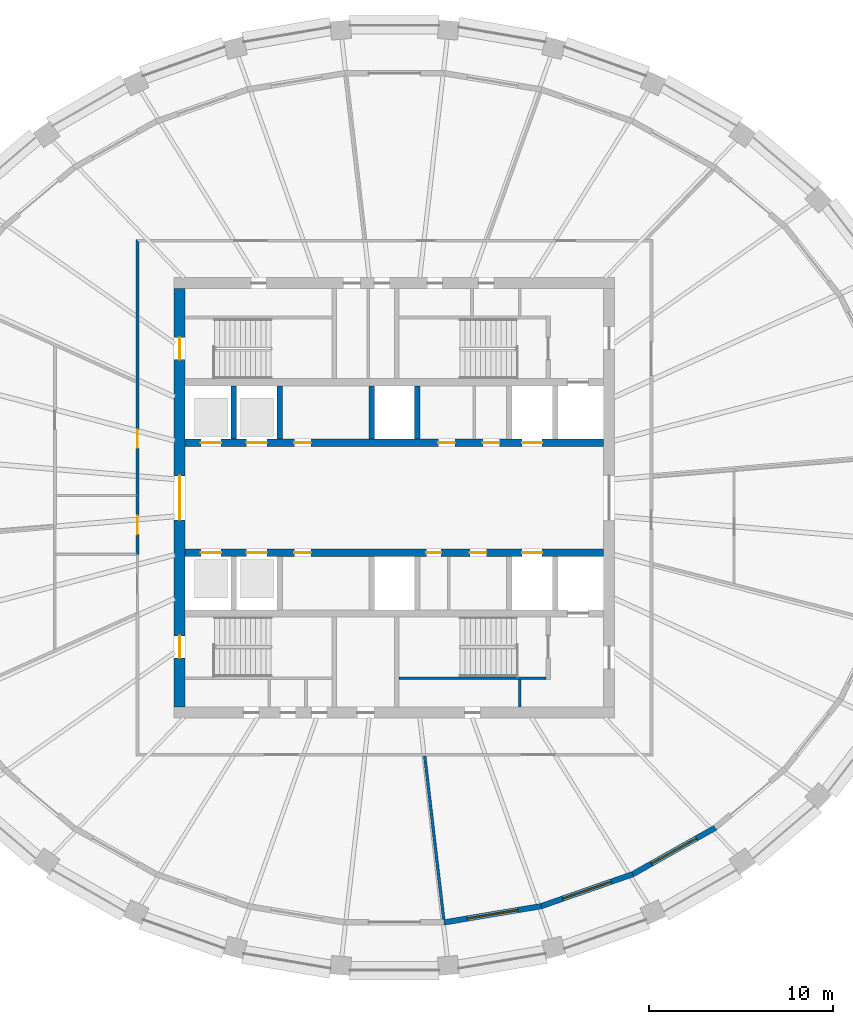
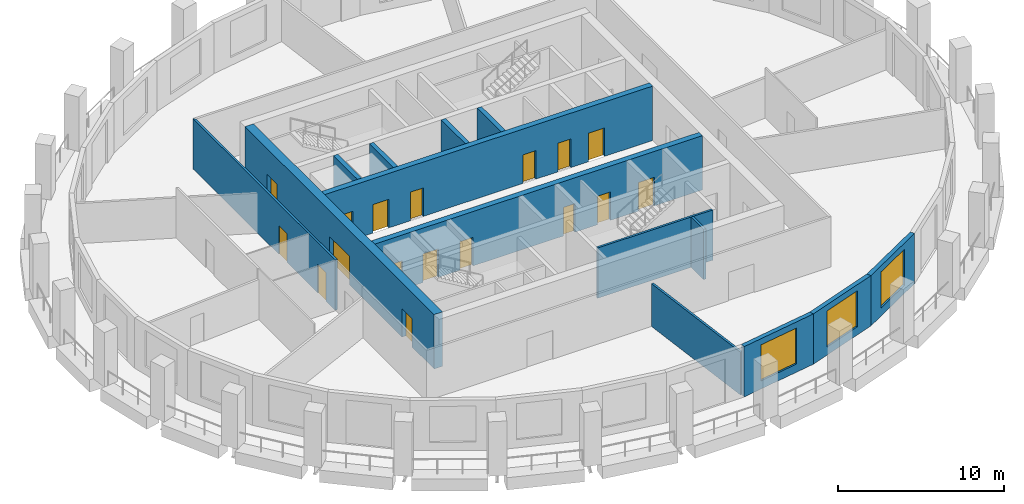
# One storey, part 4 of 10: 17 doors, 14 walls, 3 windows, 20 openings.
"""IFC4 building model written with IfcOpenShell, lengths in metres."""

from ifc_helpers import new_model, si_unit, direction, frame, frame_2d, origin, place, context, subcontext, project, spatial, polyline, rectangle, outline, extrude, material, layer, layer_set, type_object, element, fill, save


model = new_model("IFC4")

# Units and contexts
model_context = context("Model", 3, precision=1e-05, world=origin(), true_north=direction((0.0, 1.0)))
body_context = subcontext(model_context, "Body", "Model", "MODEL_VIEW")
ifc_project = project(units=[si_unit("LENGTHUNIT", "METRE"), si_unit("AREAUNIT", "SQUARE_METRE"), si_unit("VOLUMEUNIT", "CUBIC_METRE"), si_unit("PLANEANGLEUNIT", "RADIAN"), si_unit("MASSUNIT", "GRAM", prefix="KILO")], contexts=[model_context])

# Site, building, storey
site_placement = place(None, origin())
site = spatial("IfcSite", under=ifc_project, at=site_placement, CompositionType="ELEMENT")
building_placement = place(site_placement, origin())
building = spatial("IfcBuilding", under=site, at=building_placement, Name="Halqa Exchange Tower", CompositionType="ELEMENT")
storey_placement = place(building_placement, frame((0.0, 0.0, 264.300048828125)))
storey = spatial("IfcBuildingStorey", under=building, at=storey_placement, Name="L61", CompositionType="ELEMENT", Elevation=264.300048828125)

# Wall, openings, doors
ifc_material_1 = material(Name="Fire-rated gypsum board")
ifc_layer_1 = layer(ifc_material_1, 0.14990234375)
ifc_layer_set_1 = layer_set([ifc_layer_1], Name="Fire-rated gypsum board")
wall_type_1 = type_object("IfcWallType", Name="Fire partition EI 60 150", PredefinedType="PARTITIONING", material=ifc_layer_set_1)
wall_1_placement = place(storey_placement, frame((-14.0, -3.080078125, 0.0), z_axis=(0.0, 0.0, 1.0), x_axis=(0.0, 1.0, 0.0)))
wall_1 = element("IfcWall", 1, at=wall_1_placement, inside=storey, type_object=wall_type_1, Name="L61-PWL-010", PredefinedType="PARTITIONING", context=body_context, shape_type="SweptSolid", body=[
    extrude(outline(polyline([(0.0, -0.074951171875), (1.889404296875, -0.074951171875), (3.77880859375, -0.074951171875), (5.66845703125, -0.074951171875), (7.557861328125, -0.074951171875), (9.447265625, -0.074951171875), (11.336669921875, -0.074951171875), (13.226318359375, -0.074951171875), (15.11572265625, -0.074951171875), (17.005126953125, -0.074951171875), (17.155029296875, 0.074951171875), (15.2490234375, 0.074951171875), (13.3427734375, 0.074951171875), (11.436767578125, 0.074951171875), (9.530517578125, 0.074951171875), (7.62451171875, 0.074951171875), (5.71826171875, 0.074951171875), (3.812255859375, 0.074951171875), (1.906005859375, 0.074951171875), (0.0, 0.074951171875), (0.0, -0.074951171875)])), origin(), (0.0, 0.0, 1.0), 3.699951171875),
])
opening_1_placement = place(wall_1_placement, frame((5.794921875, 0.0, 0.0)))
opening_1 = element("IfcOpeningElement", 2, at=opening_1_placement, cuts=wall_1, Name="Opening 18-07", PredefinedType="OPENING", context=body_context, shape_type="SweptSolid", body=[
    extrude(rectangle(XDim=1.0, YDim=2.10009765625, at=frame_2d((0.5, 1.050048828125))), frame((0.0, 0.0869140625, 0.0), z_axis=(0.0, -1.0, 0.0), x_axis=(1.0, 0.0, 0.0)), (0.0, 0.0, 1.0), 0.173828125),
])
opening_2_placement = place(wall_1_placement, frame((1.10498046875, 0.0, 0.0)))
opening_2 = element("IfcOpeningElement", 3, at=opening_2_placement, cuts=wall_1, Name="Opening 18-08", PredefinedType="OPENING", context=body_context, shape_type="SweptSolid", body=[
    extrude(rectangle(XDim=1.0, YDim=2.10009765625, at=frame_2d((0.5, 1.050048828125))), frame((0.0, 0.0869140625, 0.0), z_axis=(0.0, -1.0, 0.0), x_axis=(1.0, 0.0, 0.0)), (0.0, 0.0, 1.0), 0.173828125),
])
ifc_material_2 = material(Name="Steel fire door leaf", Category="steel")
door_type_1 = type_object("IfcDoorType", Name="Fire door FD30S 1000 x 2100", OperationType="SINGLE_SWING_LEFT", PredefinedType="DOOR", material=ifc_material_2)
door_1_placement = place(opening_1_placement, origin())
door_1 = element("IfcDoor", 4, at=door_1_placement, inside=storey, type_object=door_type_1, Name="L61-IDR-007", OperationType="SINGLE_SWING_RIGHT", OverallHeight=2.10009765625, OverallWidth=1.0, PredefinedType="DOOR", context=body_context, shape_type="SweptSolid", body=[
    extrude(rectangle(XDim=1.0, YDim=2.10009765625, at=frame_2d((0.5, 1.050048828125))), frame((0.0, 0.02490234375, 0.0), z_axis=(0.0, -1.0, 0.0), x_axis=(1.0, 0.0, 0.0)), (0.0, 0.0, 1.0), 0.050048828125),
])
fill(opening_1, door_1)
door_2_placement = place(opening_2_placement, origin())
door_2 = element("IfcDoor", 5, at=door_2_placement, inside=storey, type_object=door_type_1, Name="L61-IDR-008", OperationType="SINGLE_SWING_LEFT", OverallHeight=2.10009765625, OverallWidth=1.0, PredefinedType="DOOR", context=body_context, shape_type="SweptSolid", body=[
    extrude(rectangle(XDim=1.0, YDim=2.10009765625, at=frame_2d((0.5, 1.050048828125))), frame((0.0, 0.02490234375, 0.0), z_axis=(0.0, -1.0, 0.0), x_axis=(1.0, 0.0, 0.0)), (0.0, 0.0, 1.0), 0.050048828125),
])
fill(opening_2, door_2)

# Walls
wall_2_placement = place(storey_placement, frame((2.68505859375, -22.9794921875, 0.0), z_axis=(0.0, 0.0, 1.0), x_axis=(-0.115608238976, 0.993294888279, 0.0)))
element("IfcWall", 6, at=wall_2_placement, inside=storey, type_object=wall_type_1, Name="L61-PWL-014", PredefinedType="PARTITIONING", context=body_context, shape_type="SweptSolid", body=[
    extrude(outline(polyline([(0.0, -0.074951171875), (1.791259765625, -0.074951171875), (3.582275390625, -0.074951171875), (5.37353515625, -0.074951171875), (7.164794921875, -0.074951171875), (8.955810546875, -0.074951171875), (8.972900390625, 0.0712890625), (8.972900390625, 0.074951171875), (7.17919921875, 0.074951171875), (5.385498046875, 0.074951171875), (3.592041015625, 0.074951171875), (1.79833984375, 0.074951171875), (0.004638671875, 0.074951171875), (0.0, 0.03466796875), (0.0, -0.074951171875)])), origin(), (0.0, 0.0, 1.0), 3.14990234375),
])
ifc_material_3 = material(Name="Gypsum board")
ifc_layer_2 = layer(ifc_material_3, 0.14990234375)
ifc_layer_set_2 = layer_set([ifc_layer_2], Name="Gypsum board")
wall_type_2 = type_object("IfcWallType", Name="Penthouse riser wall 150 gypsum", PredefinedType="PARTITIONING", material=ifc_layer_set_2)
wall_3_placement = place(storey_placement, frame((6.824951171875, -11.39990234375, 0.0), z_axis=(0.0, 0.0, 1.0), x_axis=(0.0, 1.0, 0.0)))
element("IfcWall", 7, at=wall_3_placement, inside=storey, type_object=wall_type_2, Name="Firefighting lobby west wall S", PredefinedType="PARTITIONING", context=body_context, shape_type="SweptSolid", body=[
    extrude(rectangle(XDim=1.5, YDim=0.14990234375, at=frame_2d((0.75, 0.0))), origin(), (0.0, 0.0, 1.0), 3.699951171875),
])
ifc_material_4 = material(Name="Concrete C60/75", Category="concrete")
ifc_layer_3 = layer(ifc_material_4, 0.300048828125)
ifc_layer_set_3 = layer_set([ifc_layer_3], Name="Concrete C60/75")
wall_type_3 = type_object("IfcWallType", Name="RC core wall 300", PredefinedType="SHEAR", material=ifc_layer_set_3)
for number, where, z_axis, x_axis, name in (
    (8, (-8.75, 3.199951171875, 0.0), (0.0, 0.0, 1.0), (0.0, 1.0, 0.0), "Shaft divider N1"),
    (9, (-6.25, 3.199951171875, 0.0), (0.0, 0.0, 1.0), (0.0, 1.0, 0.0), "Shaft divider N2"),
    (10, (-1.25, 3.199951171875, 0.0), (0.0, 0.0, 1.0), (0.0, 1.0, 0.0), "Shaft divider N4"),
    (11, (1.25, 3.199951171875, 0.0), (0.0, 0.0, 1.0), (0.0, 1.0, 0.0), "Shaft divider N5"),
):
    element("IfcWall", number, at=place(storey_placement, frame(where, z_axis=z_axis, x_axis=x_axis)), inside=storey, type_object=wall_type_3, Name=name, PredefinedType="SHEAR", context=body_context, shape_type="SweptSolid", body=[
        extrude(rectangle(XDim=2.900146484375, YDim=0.300048828125, at=frame_2d((1.4501953125, 0.0))), origin(), (0.0, 0.0, 1.0), 4.0),
    ])

# Wall, openings, doors
ifc_layer_4 = layer(ifc_material_4, 0.39990234375)
ifc_layer_set_4 = layer_set([ifc_layer_4], Name="Concrete C60/75")
wall_type_4 = type_object("IfcWallType", Name="RC core wall 400 C60/75", PredefinedType="SHEAR", material=ifc_layer_set_4)
wall_4_placement = place(storey_placement, frame((-11.39990234375, 3.0, 0.0), z_axis=(0.0, 0.0, 1.0), x_axis=(1.0, 0.0, 0.0)))
wall_4 = element("IfcWall", 12, at=wall_4_placement, inside=storey, type_object=wall_type_4, Name="Lift row front wall N", PredefinedType="SHEAR", context=body_context, shape_type="SweptSolid", body=[
    extrude(rectangle(XDim=22.7998046875, YDim=0.39990234375, at=frame_2d((11.39990234375, 0.0))), origin(), (0.0, 0.0, 1.0), 4.0),
])
opening_3_placement = place(wall_4_placement, frame((0.85009765625, 0.0, 0.0)))
opening_3 = element("IfcOpeningElement", 13, at=opening_3_placement, cuts=wall_4, Name="Opening LD-HR1-T18", PredefinedType="OPENING", context=body_context, shape_type="SweptSolid", body=[
    extrude(rectangle(XDim=1.10009765625, YDim=2.10009765625, at=frame_2d((0.550048828125, 1.050048828125))), frame((0.0, 0.2119140625, 0.0), z_axis=(0.0, -1.0, 0.0), x_axis=(1.0, 0.0, 0.0)), (0.0, 0.0, 1.0), 0.423828125),
])
opening_4_placement = place(wall_4_placement, frame((3.35009765625, 0.0, 0.0)))
opening_4 = element("IfcOpeningElement", 14, at=opening_4_placement, cuts=wall_4, Name="Opening LD-HR2-T18", PredefinedType="OPENING", context=body_context, shape_type="SweptSolid", body=[
    extrude(rectangle(XDim=1.10009765625, YDim=2.10009765625, at=frame_2d((0.550048828125, 1.050048828125))), frame((0.0, 0.2119140625, 0.0), z_axis=(0.0, -1.0, 0.0), x_axis=(1.0, 0.0, 0.0)), (0.0, 0.0, 1.0), 0.423828125),
])
opening_5_placement = place(wall_4_placement, frame((18.35009765625, 0.0, 0.0)))
opening_5 = element("IfcOpeningElement", 15, at=opening_5_placement, cuts=wall_4, Name="Opening LD-SV1-T18", PredefinedType="OPENING", context=body_context, shape_type="SweptSolid", body=[
    extrude(rectangle(XDim=1.10009765625, YDim=2.10009765625, at=frame_2d((0.550048828125, 1.050048828125))), frame((0.0, 0.2119140625, 0.0), z_axis=(0.0, -1.0, 0.0), x_axis=(1.0, 0.0, 0.0)), (0.0, 0.0, 1.0), 0.423828125),
])
opening_6_placement = place(wall_4_placement, frame((13.78759765625, 0.0, 0.0)))
opening_6 = element("IfcOpeningElement", 16, at=opening_6_placement, cuts=wall_4, Name="Opening T18-C27", PredefinedType="OPENING", context=body_context, shape_type="SweptSolid", body=[
    extrude(rectangle(XDim=0.89990234375, YDim=2.10009765625, at=frame_2d((0.449951171875, 1.050048828125))), frame((0.0, 0.2119140625, 0.0), z_axis=(0.0, -1.0, 0.0), x_axis=(1.0, 0.0, 0.0)), (0.0, 0.0, 1.0), 0.423828125),
])
opening_7_placement = place(wall_4_placement, frame((16.21240234375, 0.0, 0.0)))
opening_7 = element("IfcOpeningElement", 17, at=opening_7_placement, cuts=wall_4, Name="Opening T18-C28", PredefinedType="OPENING", context=body_context, shape_type="SweptSolid", body=[
    extrude(rectangle(XDim=0.89990234375, YDim=2.10009765625, at=frame_2d((0.449951171875, 1.050048828125))), frame((0.0, 0.2119140625, 0.0), z_axis=(0.0, -1.0, 0.0), x_axis=(1.0, 0.0, 0.0)), (0.0, 0.0, 1.0), 0.423828125),
])
opening_8_placement = place(wall_4_placement, frame((5.949951171875, 0.0, 0.0)))
opening_8 = element("IfcOpeningElement", 18, at=opening_8_placement, cuts=wall_4, Name="Opening T18-C29", PredefinedType="OPENING", context=body_context, shape_type="SweptSolid", body=[
    extrude(rectangle(XDim=0.89990234375, YDim=2.10009765625, at=frame_2d((0.449951171875, 1.050048828125))), frame((0.0, 0.2119140625, 0.0), z_axis=(0.0, -1.0, 0.0), x_axis=(1.0, 0.0, 0.0)), (0.0, 0.0, 1.0), 0.423828125),
])
ifc_material_5 = material(Name="Timber fire door leaf", Category="wood")
door_type_2 = type_object("IfcDoorType", Name="Core room door FD30 900 x 2100", OperationType="SINGLE_SWING_LEFT", PredefinedType="DOOR", material=ifc_material_5)
door_3_placement = place(opening_6_placement, origin())
door_3 = element("IfcDoor", 19, at=door_3_placement, inside=storey, type_object=door_type_2, Name="Core room door", OperationType="SINGLE_SWING_LEFT", OverallHeight=2.10009765625, OverallWidth=0.89990234375, PredefinedType="DOOR", context=body_context, shape_type="SweptSolid", body=[
    extrude(rectangle(XDim=0.89990234375, YDim=2.10009765625, at=frame_2d((0.449951171875, 1.050048828125))), frame((0.0, 0.02490234375, 0.0), z_axis=(0.0, -1.0, 0.0), x_axis=(1.0, 0.0, 0.0)), (0.0, 0.0, 1.0), 0.050048828125),
])
fill(opening_6, door_3)
door_4_placement = place(opening_7_placement, origin())
door_4 = element("IfcDoor", 20, at=door_4_placement, inside=storey, type_object=door_type_2, Name="Core room door", OperationType="SINGLE_SWING_RIGHT", OverallHeight=2.10009765625, OverallWidth=0.89990234375, PredefinedType="DOOR", context=body_context, shape_type="SweptSolid", body=[
    extrude(rectangle(XDim=0.89990234375, YDim=2.10009765625, at=frame_2d((0.449951171875, 1.050048828125))), frame((0.0, 0.02490234375, 0.0), z_axis=(0.0, -1.0, 0.0), x_axis=(1.0, 0.0, 0.0)), (0.0, 0.0, 1.0), 0.050048828125),
])
fill(opening_7, door_4)
door_5_placement = place(opening_8_placement, origin())
door_5 = element("IfcDoor", 21, at=door_5_placement, inside=storey, type_object=door_type_2, Name="Core room door", OperationType="SINGLE_SWING_RIGHT", OverallHeight=2.10009765625, OverallWidth=0.89990234375, PredefinedType="DOOR", context=body_context, shape_type="SweptSolid", body=[
    extrude(rectangle(XDim=0.89990234375, YDim=2.10009765625, at=frame_2d((0.449951171875, 1.050048828125))), frame((0.0, 0.02490234375, 0.0), z_axis=(0.0, -1.0, 0.0), x_axis=(1.0, 0.0, 0.0)), (0.0, 0.0, 1.0), 0.050048828125),
])
fill(opening_8, door_5)
ifc_material_6 = material(Name="Stainless steel", Category="steel")
door_type_3 = type_object("IfcDoorType", Name="Lift landing door 1100 x 2100", OperationType="SLIDING_TO_LEFT", PredefinedType="DOOR", material=ifc_material_6)
door_6_placement = place(opening_3_placement, origin())
door_6 = element("IfcDoor", 22, at=door_6_placement, inside=storey, type_object=door_type_3, Name="Lift landing door HR1", OperationType="SLIDING_TO_LEFT", OverallHeight=2.10009765625, OverallWidth=1.10009765625, PredefinedType="DOOR", context=body_context, shape_type="SweptSolid", body=[
    extrude(rectangle(XDim=1.10009765625, YDim=2.10009765625, at=frame_2d((0.550048828125, 1.050048828125))), frame((0.0, 0.02490234375, 0.0), z_axis=(0.0, -1.0, 0.0), x_axis=(1.0, 0.0, 0.0)), (0.0, 0.0, 1.0), 0.050048828125),
])
fill(opening_3, door_6)
door_7_placement = place(opening_4_placement, origin())
door_7 = element("IfcDoor", 23, at=door_7_placement, inside=storey, type_object=door_type_3, Name="Lift landing door HR2", OperationType="SLIDING_TO_LEFT", OverallHeight=2.10009765625, OverallWidth=1.10009765625, PredefinedType="DOOR", context=body_context, shape_type="SweptSolid", body=[
    extrude(rectangle(XDim=1.10009765625, YDim=2.10009765625, at=frame_2d((0.550048828125, 1.050048828125))), frame((0.0, 0.02490234375, 0.0), z_axis=(0.0, -1.0, 0.0), x_axis=(1.0, 0.0, 0.0)), (0.0, 0.0, 1.0), 0.050048828125),
])
fill(opening_4, door_7)
door_8_placement = place(opening_5_placement, origin())
door_8 = element("IfcDoor", 24, at=door_8_placement, inside=storey, type_object=door_type_3, Name="Lift landing door SV1", OperationType="SLIDING_TO_LEFT", OverallHeight=2.10009765625, OverallWidth=1.10009765625, PredefinedType="DOOR", context=body_context, shape_type="SweptSolid", body=[
    extrude(rectangle(XDim=1.10009765625, YDim=2.10009765625, at=frame_2d((0.550048828125, 1.050048828125))), frame((0.0, 0.02490234375, 0.0), z_axis=(0.0, -1.0, 0.0), x_axis=(1.0, 0.0, 0.0)), (0.0, 0.0, 1.0), 0.050048828125),
])
fill(opening_5, door_8)

wall_5_placement = place(storey_placement, frame((-11.39990234375, -3.0, 0.0), z_axis=(0.0, 0.0, 1.0), x_axis=(1.0, 0.0, 0.0)))
wall_5 = element("IfcWall", 25, at=wall_5_placement, inside=storey, type_object=wall_type_4, Name="Lift row front wall S", PredefinedType="SHEAR", context=body_context, shape_type="SweptSolid", body=[
    extrude(rectangle(XDim=22.7998046875, YDim=0.39990234375, at=frame_2d((11.39990234375, 0.0))), origin(), (0.0, 0.0, 1.0), 4.0),
])
opening_9_placement = place(wall_5_placement, frame((0.85009765625, 0.0, 0.0)))
opening_9 = element("IfcOpeningElement", 26, at=opening_9_placement, cuts=wall_5, Name="Opening LD-HR3-T18", PredefinedType="OPENING", context=body_context, shape_type="SweptSolid", body=[
    extrude(rectangle(XDim=1.10009765625, YDim=2.10009765625, at=frame_2d((0.550048828125, 1.050048828125))), frame((0.0, 0.2119140625, 0.0), z_axis=(0.0, -1.0, 0.0), x_axis=(1.0, 0.0, 0.0)), (0.0, 0.0, 1.0), 0.423828125),
])
opening_10_placement = place(wall_5_placement, frame((3.35009765625, 0.0, 0.0)))
opening_10 = element("IfcOpeningElement", 27, at=opening_10_placement, cuts=wall_5, Name="Opening LD-HR4-T18", PredefinedType="OPENING", context=body_context, shape_type="SweptSolid", body=[
    extrude(rectangle(XDim=1.10009765625, YDim=2.10009765625, at=frame_2d((0.550048828125, 1.050048828125))), frame((0.0, 0.2119140625, 0.0), z_axis=(0.0, -1.0, 0.0), x_axis=(1.0, 0.0, 0.0)), (0.0, 0.0, 1.0), 0.423828125),
])
opening_11_placement = place(wall_5_placement, frame((18.35009765625, 0.0, 0.0)))
opening_11 = element("IfcOpeningElement", 28, at=opening_11_placement, cuts=wall_5, Name="Opening LD-SV2-T18", PredefinedType="OPENING", context=body_context, shape_type="SweptSolid", body=[
    extrude(rectangle(XDim=1.10009765625, YDim=2.10009765625, at=frame_2d((0.550048828125, 1.050048828125))), frame((0.0, 0.2119140625, 0.0), z_axis=(0.0, -1.0, 0.0), x_axis=(1.0, 0.0, 0.0)), (0.0, 0.0, 1.0), 0.423828125),
])
opening_12_placement = place(wall_5_placement, frame((13.137451171875, 0.0, 0.0)))
opening_12 = element("IfcOpeningElement", 29, at=opening_12_placement, cuts=wall_5, Name="Opening T18-C30", PredefinedType="OPENING", context=body_context, shape_type="SweptSolid", body=[
    extrude(rectangle(XDim=0.800048828125, YDim=2.10009765625, at=frame_2d((0.39990234375, 1.050048828125))), frame((0.0, 0.2119140625, 0.0), z_axis=(0.0, -1.0, 0.0), x_axis=(1.0, 0.0, 0.0)), (0.0, 0.0, 1.0), 0.423828125),
])
opening_13_placement = place(wall_5_placement, frame((15.512451171875, 0.0, 0.0)))
opening_13 = element("IfcOpeningElement", 30, at=opening_13_placement, cuts=wall_5, Name="Opening T18-C31", PredefinedType="OPENING", context=body_context, shape_type="SweptSolid", body=[
    extrude(rectangle(XDim=0.89990234375, YDim=2.10009765625, at=frame_2d((0.449951171875, 1.050048828125))), frame((0.0, 0.2119140625, 0.0), z_axis=(0.0, -1.0, 0.0), x_axis=(1.0, 0.0, 0.0)), (0.0, 0.0, 1.0), 0.423828125),
])
opening_14_placement = place(wall_5_placement, frame((5.949951171875, 0.0, 0.0)))
opening_14 = element("IfcOpeningElement", 31, at=opening_14_placement, cuts=wall_5, Name="Opening T18-C32", PredefinedType="OPENING", context=body_context, shape_type="SweptSolid", body=[
    extrude(rectangle(XDim=0.89990234375, YDim=2.10009765625, at=frame_2d((0.449951171875, 1.050048828125))), frame((0.0, 0.2119140625, 0.0), z_axis=(0.0, -1.0, 0.0), x_axis=(1.0, 0.0, 0.0)), (0.0, 0.0, 1.0), 0.423828125),
])
door_9_placement = place(opening_13_placement, frame((0.89990234375, 0.0, 0.0), z_axis=(0.0, 0.0, 1.0), x_axis=(-1.0, 0.0, 0.0)))
door_9 = element("IfcDoor", 32, at=door_9_placement, inside=storey, type_object=door_type_2, Name="Core room door", OperationType="SINGLE_SWING_RIGHT", OverallHeight=2.10009765625, OverallWidth=0.89990234375, PredefinedType="DOOR", context=body_context, shape_type="SweptSolid", body=[
    extrude(rectangle(XDim=0.89990234375, YDim=2.10009765625, at=frame_2d((0.449951171875, 1.050048828125))), frame((0.0, 0.02490234375, 0.0), z_axis=(0.0, -1.0, 0.0), x_axis=(1.0, 0.0, 0.0)), (0.0, 0.0, 1.0), 0.050048828125),
])
fill(opening_13, door_9)
door_10_placement = place(opening_14_placement, frame((0.89990234375, 0.0, 0.0), z_axis=(0.0, 0.0, 1.0), x_axis=(-1.0, 0.0, 0.0)))
door_10 = element("IfcDoor", 33, at=door_10_placement, inside=storey, type_object=door_type_2, Name="Core room door", OperationType="SINGLE_SWING_LEFT", OverallHeight=2.10009765625, OverallWidth=0.89990234375, PredefinedType="DOOR", context=body_context, shape_type="SweptSolid", body=[
    extrude(rectangle(XDim=0.89990234375, YDim=2.10009765625, at=frame_2d((0.449951171875, 1.050048828125))), frame((0.0, 0.02490234375, 0.0), z_axis=(0.0, -1.0, 0.0), x_axis=(1.0, 0.0, 0.0)), (0.0, 0.0, 1.0), 0.050048828125),
])
fill(opening_14, door_10)
door_11_placement = place(opening_9_placement, origin())
door_11 = element("IfcDoor", 34, at=door_11_placement, inside=storey, type_object=door_type_3, Name="Lift landing door HR3", OperationType="SLIDING_TO_LEFT", OverallHeight=2.10009765625, OverallWidth=1.10009765625, PredefinedType="DOOR", context=body_context, shape_type="SweptSolid", body=[
    extrude(rectangle(XDim=1.10009765625, YDim=2.10009765625, at=frame_2d((0.550048828125, 1.050048828125))), frame((0.0, 0.02490234375, 0.0), z_axis=(0.0, -1.0, 0.0), x_axis=(1.0, 0.0, 0.0)), (0.0, 0.0, 1.0), 0.050048828125),
])
fill(opening_9, door_11)
door_12_placement = place(opening_10_placement, origin())
door_12 = element("IfcDoor", 35, at=door_12_placement, inside=storey, type_object=door_type_3, Name="Lift landing door HR4", OperationType="SLIDING_TO_LEFT", OverallHeight=2.10009765625, OverallWidth=1.10009765625, PredefinedType="DOOR", context=body_context, shape_type="SweptSolid", body=[
    extrude(rectangle(XDim=1.10009765625, YDim=2.10009765625, at=frame_2d((0.550048828125, 1.050048828125))), frame((0.0, 0.02490234375, 0.0), z_axis=(0.0, -1.0, 0.0), x_axis=(1.0, 0.0, 0.0)), (0.0, 0.0, 1.0), 0.050048828125),
])
fill(opening_10, door_12)
door_13_placement = place(opening_11_placement, origin())
door_13 = element("IfcDoor", 36, at=door_13_placement, inside=storey, type_object=door_type_3, Name="Lift landing door SV2", OperationType="SLIDING_TO_LEFT", OverallHeight=2.10009765625, OverallWidth=1.10009765625, PredefinedType="DOOR", context=body_context, shape_type="SweptSolid", body=[
    extrude(rectangle(XDim=1.10009765625, YDim=2.10009765625, at=frame_2d((0.550048828125, 1.050048828125))), frame((0.0, 0.02490234375, 0.0), z_axis=(0.0, -1.0, 0.0), x_axis=(1.0, 0.0, 0.0)), (0.0, 0.0, 1.0), 0.050048828125),
])
fill(opening_11, door_13)
door_type_4 = type_object("IfcDoorType", Name="Riser door FD60 800 x 2100", OperationType="SINGLE_SWING_LEFT", PredefinedType="DOOR", material=ifc_material_2)
door_14_placement = place(opening_12_placement, frame((0.800048828125, 0.0, 0.0), z_axis=(0.0, 0.0, 1.0), x_axis=(-1.0, 0.0, 0.0)))
door_14 = element("IfcDoor", 37, at=door_14_placement, inside=storey, type_object=door_type_4, Name="Core room door", OperationType="SINGLE_SWING_RIGHT", OverallHeight=2.10009765625, OverallWidth=0.800048828125, PredefinedType="DOOR", context=body_context, shape_type="SweptSolid", body=[
    extrude(rectangle(XDim=0.800048828125, YDim=2.10009765625, at=frame_2d((0.39990234375, 1.050048828125))), frame((0.0, 0.02490234375, 0.0), z_axis=(0.0, -1.0, 0.0), x_axis=(1.0, 0.0, 0.0)), (0.0, 0.0, 1.0), 0.050048828125),
])
fill(opening_12, door_14)

ifc_layer_5 = layer(ifc_material_4, 0.60009765625)
ifc_layer_set_5 = layer_set([ifc_layer_5], Name="Concrete C60/75")
wall_type_5 = type_object("IfcWallType", Name="RC core wall 600 C60/75", PredefinedType="SHEAR", material=ifc_layer_set_5)
wall_6_placement = place(storey_placement, frame((-11.699951171875, -11.39990234375, 0.0), z_axis=(0.0, 0.0, 1.0), x_axis=(0.0, 1.0, 0.0)))
wall_6 = element("IfcWall", 38, at=wall_6_placement, inside=storey, type_object=wall_type_5, Name="Core wall west", PredefinedType="SHEAR", context=body_context, shape_type="SweptSolid", body=[
    extrude(rectangle(XDim=22.7998046875, YDim=0.60009765625, at=frame_2d((11.39990234375, 0.0))), origin(), (0.0, 0.0, 1.0), 4.0),
])
opening_15_placement = place(wall_6_placement, frame((10.199951171875, 0.0, 0.0)))
opening_15 = element("IfcOpeningElement", 39, at=opening_15_placement, cuts=wall_6, Name="Opening T18-C09", PredefinedType="OPENING", context=body_context, shape_type="SweptSolid", body=[
    extrude(rectangle(XDim=2.39990234375, YDim=2.10009765625, at=frame_2d((1.199951171875, 1.050048828125))), frame((0.0, 0.31201171875, 0.0), z_axis=(0.0, -1.0, 0.0), x_axis=(1.0, 0.0, 0.0)), (0.0, 0.0, 1.0), 0.6240234375),
])
opening_16_placement = place(wall_6_placement, frame((18.925048828125, 0.0, 0.0)))
opening_16 = element("IfcOpeningElement", 40, at=opening_16_placement, cuts=wall_6, Name="Opening T18-C11", PredefinedType="OPENING", context=body_context, shape_type="SweptSolid", body=[
    extrude(rectangle(XDim=1.199951171875, YDim=2.10009765625, at=frame_2d((0.60009765625, 1.050048828125))), frame((0.0, 0.31201171875, 0.0), z_axis=(0.0, -1.0, 0.0), x_axis=(1.0, 0.0, 0.0)), (0.0, 0.0, 1.0), 0.6240234375),
])
opening_17_placement = place(wall_6_placement, frame((2.675048828125, 0.0, 0.0)))
opening_17 = element("IfcOpeningElement", 41, at=opening_17_placement, cuts=wall_6, Name="Opening T18-C13", PredefinedType="OPENING", context=body_context, shape_type="SweptSolid", body=[
    extrude(rectangle(XDim=1.199951171875, YDim=2.10009765625, at=frame_2d((0.60009765625, 1.050048828125))), frame((0.0, 0.31201171875, 0.0), z_axis=(0.0, -1.0, 0.0), x_axis=(1.0, 0.0, 0.0)), (0.0, 0.0, 1.0), 0.6240234375),
])
door_type_5 = type_object("IfcDoorType", Name="Lobby double door FD60 2400 x 2100", OperationType="DOUBLE_DOOR_SINGLE_SWING", PredefinedType="DOOR", material=ifc_material_2)
door_15_placement = place(opening_15_placement, frame((2.39990234375, 0.0, 0.0), z_axis=(0.0, 0.0, 1.0), x_axis=(-1.0, 0.0, 0.0)))
door_15 = element("IfcDoor", 42, at=door_15_placement, inside=storey, type_object=door_type_5, Name="Lift lobby double door", OperationType="DOUBLE_DOOR_SINGLE_SWING", OverallHeight=2.10009765625, OverallWidth=2.39990234375, PredefinedType="DOOR", context=body_context, shape_type="SweptSolid", body=[
    extrude(rectangle(XDim=2.39990234375, YDim=2.10009765625, at=frame_2d((1.199951171875, 1.050048828125))), frame((0.0, 0.02490234375, 0.0), z_axis=(0.0, -1.0, 0.0), x_axis=(1.0, 0.0, 0.0)), (0.0, 0.0, 1.0), 0.050048828125),
])
fill(opening_15, door_15)
door_type_6 = type_object("IfcDoorType", Name="Stair door FD90 1200 x 2100", OperationType="SINGLE_SWING_LEFT", PredefinedType="DOOR", material=ifc_material_2)
door_16_placement = place(opening_16_placement, frame((1.199951171875, 0.0, 0.0), z_axis=(0.0, 0.0, 1.0), x_axis=(-1.0, 0.0, 0.0)))
door_16 = element("IfcDoor", 43, at=door_16_placement, inside=storey, type_object=door_type_6, Name="Stair door ST1", OperationType="SINGLE_SWING_RIGHT", OverallHeight=2.10009765625, OverallWidth=1.199951171875, PredefinedType="DOOR", context=body_context, shape_type="SweptSolid", body=[
    extrude(rectangle(XDim=1.199951171875, YDim=2.10009765625, at=frame_2d((0.60009765625, 1.050048828125))), frame((0.0, 0.02490234375, 0.0), z_axis=(0.0, -1.0, 0.0), x_axis=(1.0, 0.0, 0.0)), (0.0, 0.0, 1.0), 0.050048828125),
])
fill(opening_16, door_16)
door_17_placement = place(opening_17_placement, frame((1.199951171875, 0.0, 0.0), z_axis=(0.0, 0.0, 1.0), x_axis=(-1.0, 0.0, 0.0)))
door_17 = element("IfcDoor", 44, at=door_17_placement, inside=storey, type_object=door_type_6, Name="Stair door ST3", OperationType="SINGLE_SWING_RIGHT", OverallHeight=2.10009765625, OverallWidth=1.199951171875, PredefinedType="DOOR", context=body_context, shape_type="SweptSolid", body=[
    extrude(rectangle(XDim=1.199951171875, YDim=2.10009765625, at=frame_2d((0.60009765625, 1.050048828125))), frame((0.0, 0.02490234375, 0.0), z_axis=(0.0, -1.0, 0.0), x_axis=(1.0, 0.0, 0.0)), (0.0, 0.0, 1.0), 0.050048828125),
])
fill(opening_17, door_17)

# Wall
ifc_material_7 = material(Name="Concrete C30/37", Category="concrete")
ifc_layer_6 = layer(ifc_material_7, 0.14990234375)
ifc_layer_set_6 = layer_set([ifc_layer_6], Name="Concrete C30/37")
wall_type_6 = type_object("IfcWallType", Name="RC stair wall 150 C30/37", PredefinedType="SHEAR", material=ifc_layer_set_6)
wall_7_placement = place(storey_placement, frame((0.25, -9.824951171875, 0.0), z_axis=(0.0, 0.0, 1.0), x_axis=(1.0, 0.0, 0.0)))
element("IfcWall", 45, at=wall_7_placement, inside=storey, type_object=wall_type_6, Name="Stair ST2 north wall S", PredefinedType="SHEAR", context=body_context, shape_type="SweptSolid", body=[
    extrude(rectangle(XDim=8.0, YDim=0.14990234375, at=frame_2d((4.0, 0.0))), origin(), (0.0, 0.0, 1.0), 3.699951171875),
])

# Wall, opening, window
ifc_material_8 = material(Name="Limestone cladding", Category="masonry")
ifc_layer_7 = layer(ifc_material_8, 0.0400390625)
ifc_material_9 = material(Name="Ventilated cavity")
ifc_layer_8 = layer(ifc_material_9, 0.030029296875, ventilated=True)
ifc_material_10 = material(Name="Mineral wool insulation")
ifc_layer_9 = layer(ifc_material_10, 0.10009765625)
ifc_layer_10 = layer(ifc_material_7, 0.10009765625)
ifc_material_11 = material(Name="Internal plaster")
ifc_layer_11 = layer(ifc_material_11, 0.030029296875)
ifc_layer_set_7 = layer_set([ifc_layer_7, ifc_layer_8, ifc_layer_9, ifc_layer_10, ifc_layer_11], Name="Stone-faced insulated wall 300")
wall_type_7 = type_object("IfcWallType", Name="Stone-faced insulated wall 300", PredefinedType="STANDARD", material=ifc_layer_set_7)
wall_8_placement = place(storey_placement, frame((2.69921875, -23.133544921875, 0.0), z_axis=(0.0, 0.0, 1.0), x_axis=(0.986243571741, 0.165298569867, 0.0)))
wall_8 = element("IfcWall", 46, at=wall_8_placement, inside=storey, type_object=wall_type_7, Name="Glass-line wall 25", PredefinedType="STANDARD", context=body_context, shape_type="SweptSolid", body=[
    extrude(outline(polyline([(-0.012451171875, -0.14990234375), (5.381591796875, -0.14990234375), (5.356201171875, 0.14990234375), (0.012451171875, 0.14990234375), (-0.012451171875, -0.14990234375)])), origin(), (0.0, 0.0, 1.0), 3.699951171875),
])
opening_18_placement = place(wall_8_placement, frame((1.284423828125, 0.0, 0.60009765625)))
opening_18 = element("IfcOpeningElement", 47, at=opening_18_placement, cuts=wall_8, Name="Opening W-F4-25", PredefinedType="OPENING", context=body_context, shape_type="SweptSolid", body=[
    extrude(rectangle(XDim=2.800048828125, YDim=2.64990234375, at=frame_2d((1.39990234375, 1.324951171875))), frame((0.0, 0.162109375, 0.0), z_axis=(0.0, -1.0, 0.0), x_axis=(1.0, 0.0, 0.0)), (0.0, 0.0, 1.0), 0.323974609375),
])
ifc_material_12 = material(Name="Clear low-emissivity glass in aluminium frame", Category="aluminium")
window_type = type_object("IfcWindowType", Name="Fixed clear glazed window 2800 x 2650", PartitioningType="DOUBLE_PANEL_VERTICAL", PredefinedType="WINDOW", material=ifc_material_12)
window_1_placement = place(opening_18_placement, origin())
window_1 = element("IfcWindow", 48, at=window_1_placement, inside=storey, type_object=window_type, Name="Window 4", OverallHeight=2.64990234375, OverallWidth=2.800048828125, PartitioningType="DOUBLE_PANEL_VERTICAL", PredefinedType="WINDOW", context=body_context, shape_type="SweptSolid", body=[
    extrude(rectangle(XDim=2.800048828125, YDim=2.64990234375, at=frame_2d((1.39990234375, 1.324951171875))), frame((0.0, 0.030029296875, 0.0), z_axis=(0.0, -1.0, 0.0), x_axis=(1.0, 0.0, 0.0)), (0.0, 0.0, 1.0), 0.06005859375),
])
fill(opening_18, window_1)

wall_9_placement = place(storey_placement, frame((7.994140625, -22.24609375, 0.0), z_axis=(0.0, 0.0, 1.0), x_axis=(0.944149712872, 0.32951679727, 0.0)))
wall_9 = element("IfcWall", 49, at=wall_9_placement, inside=storey, type_object=wall_type_7, Name="Glass-line wall 26", PredefinedType="STANDARD", context=body_context, shape_type="SweptSolid", body=[
    extrude(outline(polyline([(-0.0126953125, -0.14990234375), (5.297607421875, -0.14990234375), (5.270751953125, 0.14990234375), (0.0126953125, 0.14990234375), (-0.0126953125, -0.14990234375)])), origin(), (0.0, 0.0, 1.0), 3.699951171875),
])
opening_19_placement = place(wall_9_placement, frame((1.241943359375, 0.0, 0.60009765625)))
opening_19 = element("IfcOpeningElement", 50, at=opening_19_placement, cuts=wall_9, Name="Opening W-F4-26", PredefinedType="OPENING", context=body_context, shape_type="SweptSolid", body=[
    extrude(rectangle(XDim=2.800048828125, YDim=2.64990234375, at=frame_2d((1.39990234375, 1.324951171875))), frame((0.0, 0.162109375, 0.0), z_axis=(0.0, -1.0, 0.0), x_axis=(1.0, 0.0, 0.0)), (0.0, 0.0, 1.0), 0.323974609375),
])
window_2_placement = place(opening_19_placement, origin())
window_2 = element("IfcWindow", 51, at=window_2_placement, inside=storey, type_object=window_type, Name="Window 4", OverallHeight=2.64990234375, OverallWidth=2.800048828125, PartitioningType="DOUBLE_PANEL_VERTICAL", PredefinedType="WINDOW", context=body_context, shape_type="SweptSolid", body=[
    extrude(rectangle(XDim=2.800048828125, YDim=2.64990234375, at=frame_2d((1.39990234375, 1.324951171875))), frame((0.0, 0.030029296875, 0.0), z_axis=(0.0, -1.0, 0.0), x_axis=(1.0, 0.0, 0.0)), (0.0, 0.0, 1.0), 0.06005859375),
])
fill(opening_19, window_2)

wall_10_placement = place(storey_placement, frame((12.983154296875, -20.5048828125, 0.0), z_axis=(0.0, 0.0, 1.0), x_axis=(0.871411047742, 0.490553550465, 0.0)))
wall_10 = element("IfcWall", 52, at=wall_10_placement, inside=storey, type_object=wall_type_7, Name="Glass-line wall 27", PredefinedType="STANDARD", context=body_context, shape_type="SweptSolid", body=[
    extrude(outline(polyline([(-0.013427734375, -0.14990234375), (5.168701171875, -0.14990234375), (5.140380859375, 0.14990234375), (0.013427734375, 0.14990234375), (-0.013427734375, -0.14990234375)])), origin(), (0.0, 0.0, 1.0), 3.699951171875),
])
opening_20_placement = place(wall_10_placement, frame((1.17724609375, 0.0, 0.60009765625)))
opening_20 = element("IfcOpeningElement", 53, at=opening_20_placement, cuts=wall_10, Name="Opening W-F4-27", PredefinedType="OPENING", context=body_context, shape_type="SweptSolid", body=[
    extrude(rectangle(XDim=2.800048828125, YDim=2.64990234375, at=frame_2d((1.39990234375, 1.324951171875))), frame((0.0, 0.162109375, 0.0), z_axis=(0.0, -1.0, 0.0), x_axis=(1.0, 0.0, 0.0)), (0.0, 0.0, 1.0), 0.323974609375),
])
window_3_placement = place(opening_20_placement, origin())
window_3 = element("IfcWindow", 54, at=window_3_placement, inside=storey, type_object=window_type, Name="Window 4", OverallHeight=2.64990234375, OverallWidth=2.800048828125, PartitioningType="DOUBLE_PANEL_VERTICAL", PredefinedType="WINDOW", context=body_context, shape_type="SweptSolid", body=[
    extrude(rectangle(XDim=2.800048828125, YDim=2.64990234375, at=frame_2d((1.39990234375, 1.324951171875))), frame((0.0, 0.030029296875, 0.0), z_axis=(0.0, -1.0, 0.0), x_axis=(1.0, 0.0, 0.0)), (0.0, 0.0, 1.0), 0.06005859375),
])
fill(opening_20, window_3)

save(model, "model.ifc")
